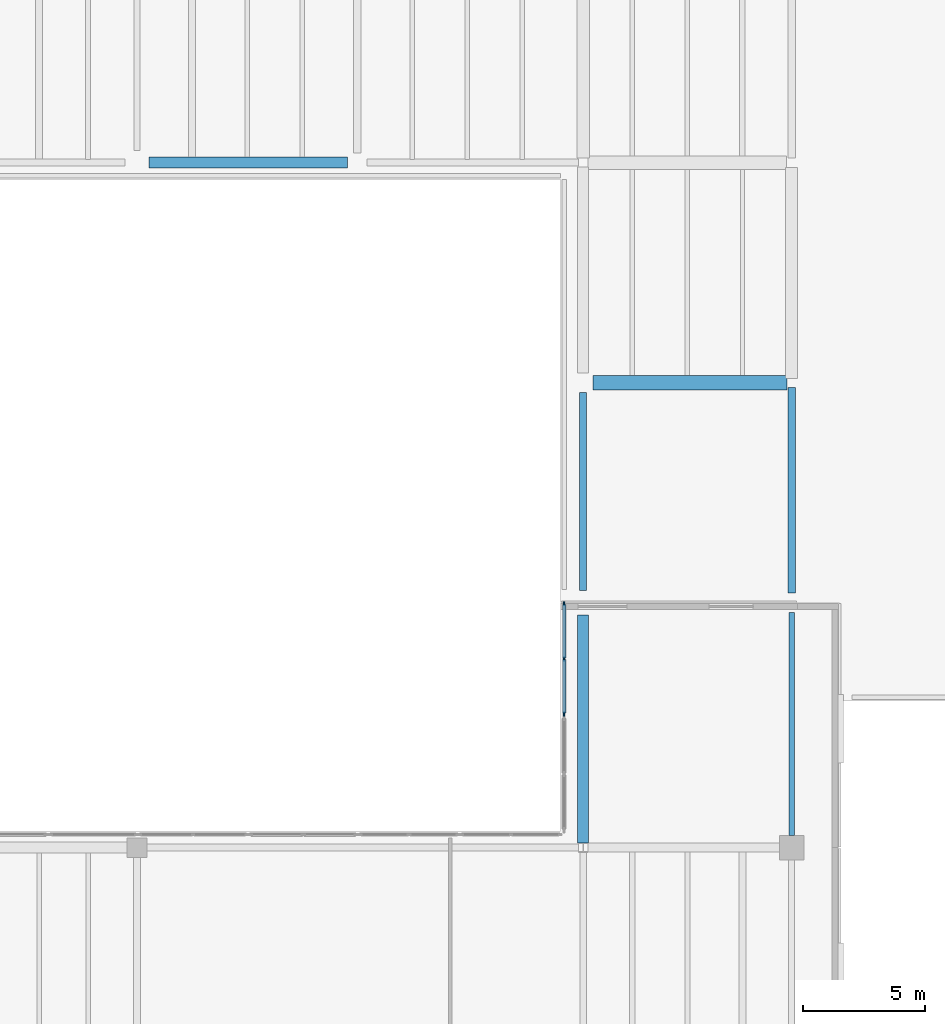
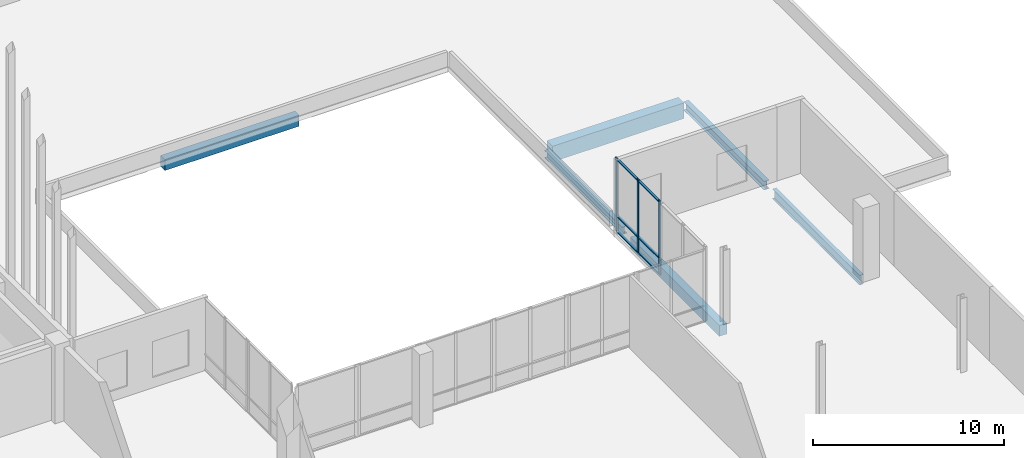
# One storey, part 33 of 60: 9 members, 6 beams, 1 element without a shape of its own.
"""IFC4 building model written with IfcOpenShell, lengths in metres."""

from ifc_helpers import new_model, si_unit, direction, frame, origin, origin_2d, place, context, subcontext, project, spatial, rectangle, i_section, extrude, material, material_profile, profile_set, type_object, element, aggregate, save


model = new_model("IFC4")

# Units and contexts
model_context = context("Model", 3, precision=1e-05, world=origin(), true_north=direction((0.0, 1.0)))
body_context = subcontext(model_context, "Body", "Model", "MODEL_VIEW")
ifc_project = project(units=[si_unit("LENGTHUNIT", "METRE"), si_unit("AREAUNIT", "SQUARE_METRE"), si_unit("VOLUMEUNIT", "CUBIC_METRE"), si_unit("PLANEANGLEUNIT", "RADIAN"), si_unit("MASSUNIT", "GRAM", prefix="KILO")], contexts=[model_context])

# Site, building, storey
site_placement = place(None, origin())
site = spatial("IfcSite", under=ifc_project, at=site_placement, CompositionType="ELEMENT")
building_placement = place(site_placement, origin())
building = spatial("IfcBuilding", under=site, at=building_placement, Name="Trimount Lyric Opera House", CompositionType="ELEMENT")
storey_placement = place(building_placement, frame((0.0, 0.0, 15.0)))
storey = spatial("IfcBuildingStorey", under=building, at=storey_placement, Name="L03", CompositionType="ELEMENT", Elevation=15.0)

# Beams
ifc_material_1 = material(Name="Steel ASTM A992 Grade 50", Category="steel")
ifc_material_profile_1 = material_profile(ifc_material_1, i_section(OverallWidth=0.22998046875, OverallDepth=0.616943359375, WebThickness=0.01318359375, FlangeThickness=0.022216796875, FilletRadius=0.013916015625, at=origin_2d()), Name="W24X94")
ifc_profile_set_1 = profile_set([ifc_material_profile_1], Name="Steel ASTM A992 Grade 50")
beam_type_1 = type_object("IfcBeamType", Name="B-11", PredefinedType="BEAM", material=ifc_profile_set_1)
beam_1_placement = place(storey_placement, frame((156.760009765625, 74.5, -0.598388671875), z_axis=(0.0, 1.0, 0.0), x_axis=(-1.0, 0.0, 0.0)))
element("IfcBeam", 1, at=beam_1_placement, inside=storey, type_object=beam_type_1, Name="L03 girder Y-1120", PredefinedType="BEAM", context=body_context, shape_type="SweptSolid", body=[
    extrude(i_section(OverallWidth=0.22998046875, OverallDepth=0.616943359375, WebThickness=0.01318359375, FlangeThickness=0.022216796875, FilletRadius=0.013916015625, at=origin_2d()), origin(), (0.0, 0.0, 1.0), 9.10009765625),
])
ifc_material_2 = material(Name="Steel ASTM A992 Grade 50", Category="steel")
ifc_material_profile_2 = material_profile(ifc_material_2, i_section(OverallWidth=0.31201171875, OverallDepth=0.5458984375, WebThickness=0.013916015625, FlangeThickness=0.022216796875, FilletRadius=0.014892578125, at=origin_2d()), Name="W21X111")
ifc_profile_set_2 = profile_set([ifc_material_profile_2], Name="Steel ASTM A992 Grade 50")
beam_type_2 = type_object("IfcBeamType", Name="B-12", PredefinedType="BEAM", material=ifc_profile_set_2)
beam_2_placement = place(storey_placement, frame((156.760009765625, 84.39990234375, -0.56298828125), z_axis=(0.0, 1.0, 0.0), x_axis=(-1.0, 0.0, 0.0)))
element("IfcBeam", 2, at=beam_2_placement, inside=storey, type_object=beam_type_2, Name="L03 girder Y-1121", PredefinedType="BEAM", context=body_context, shape_type="SweptSolid", body=[
    extrude(i_section(OverallWidth=0.31201171875, OverallDepth=0.5458984375, WebThickness=0.013916015625, FlangeThickness=0.022216796875, FilletRadius=0.014892578125, at=origin_2d()), origin(), (0.0, 0.0, 1.0), 8.416015625),
])
ifc_material_3 = material(Name="Concrete C40/50", Category="concrete")
ifc_material_profile_3 = material_profile(ifc_material_3, rectangle(XDim=0.60009765625, YDim=1.0, at=origin_2d()), Name="RC600X1000")
ifc_profile_set_3 = profile_set([ifc_material_profile_3], Name="Concrete C40/50")
beam_type_3 = type_object("IfcBeamType", Name="B-13", PredefinedType="BEAM", material=ifc_profile_set_3)
beam_3_placement = place(storey_placement, frame((148.639892578125, 93.0, -0.7900390625), z_axis=(1.0, 0.0, 0.0), x_axis=(0.0, 1.0, 0.0)))
element("IfcBeam", 3, at=beam_3_placement, inside=storey, type_object=beam_type_3, Name="L03 girder X-0996", PredefinedType="BEAM", context=body_context, shape_type="SweptSolid", body=[
    extrude(rectangle(XDim=0.60009765625, YDim=1.0, at=origin_2d()), origin(), (0.0, 0.0, 1.0), 7.93359375),
])

# Curtain wall, members
ifc_material_4 = material(Name="Thermally Broken Aluminium and Low-E Glass", Category="aluminium")
curtain_wall_type = type_object("IfcCurtainWallType", Name="CW-03", PredefinedType="NOTDEFINED", material=ifc_material_4)
curtain_wall_placement = place(storey_placement, origin())
curtain_wall = element("IfcCurtainWall", 4, at=curtain_wall_placement, inside=storey, type_object=curtain_wall_type, Name="L03 curtain wall 256", PredefinedType="NOTDEFINED")
ifc_material_5 = material(Name="Anodised Aluminium 6063-T6", Category="aluminium")
ifc_material_profile_4 = material_profile(ifc_material_5, rectangle(XDim=0.06494140625, YDim=0.179931640625, at=origin_2d()), Name="ALU-MULL-65X180")
ifc_profile_set_4 = profile_set([ifc_material_profile_4], Name="Anodised Aluminium 6063-T6")
member_type_1 = type_object("IfcMemberType", Name="ML-02", PredefinedType="MULLION", material=ifc_profile_set_4)
member_1_placement = place(storey_placement, frame((147.4599609375, 79.46240234375, 0.0), z_axis=(0.0, 0.0, 1.0), x_axis=(-1.0, 0.0, 0.0)))
member_1 = element("IfcMember", 5, at=member_1_placement, type_object=member_type_1, Name="CW-03 mullion 1", PredefinedType="MULLION", context=body_context, shape_type="SweptSolid", body=[
    extrude(rectangle(XDim=0.06494140625, YDim=0.179931640625, at=origin_2d()), origin(), (0.0, 0.0, 1.0), 4.7099609375),
])
member_2_placement = place(storey_placement, frame((147.4599609375, 81.715087890625, 0.0), z_axis=(0.0, 0.0, 1.0), x_axis=(-1.0, 0.0, 0.0)))
member_2 = element("IfcMember", 6, at=member_2_placement, type_object=member_type_1, Name="CW-03 mullion 2", PredefinedType="MULLION", context=body_context, shape_type="SweptSolid", body=[
    extrude(rectangle(XDim=0.06494140625, YDim=0.179931640625, at=origin_2d()), origin(), (0.0, 0.0, 1.0), 4.7099609375),
])
member_3_placement = place(storey_placement, frame((147.4599609375, 83.967529296875, 0.0), z_axis=(0.0, 0.0, 1.0), x_axis=(-1.0, 0.0, 0.0)))
member_3 = element("IfcMember", 7, at=member_3_placement, type_object=member_type_1, Name="CW-03 mullion 3", PredefinedType="MULLION", context=body_context, shape_type="SweptSolid", body=[
    extrude(rectangle(XDim=0.06494140625, YDim=0.179931640625, at=origin_2d()), origin(), (0.0, 0.0, 1.0), 4.7099609375),
])

# Beams
ifc_material_6 = material(Name="Steel ASTM A992 Grade 50", Category="steel")
ifc_material_profile_5 = material_profile(ifc_material_6, i_section(OverallWidth=0.281982421875, OverallDepth=0.467041015625, WebThickness=0.01220703125, FlangeThickness=0.01953125, FilletRadius=0.012939453125, at=origin_2d()), Name="W18X86")
ifc_profile_set_5 = profile_set([ifc_material_profile_5], Name="Steel ASTM A992 Grade 50")
beam_type_4 = type_object("IfcBeamType", Name="SP-01", PredefinedType="SPANDREL", material=ifc_profile_set_5)
beam_4_placement = place(storey_placement, frame((148.239990234375, 84.5, -0.5234375), z_axis=(0.0, 1.0, 0.0), x_axis=(-1.0, 0.0, 0.0)))
element("IfcBeam", 8, at=beam_4_placement, inside=storey, type_object=beam_type_4, Name="L03 girder Y-1114", PredefinedType="SPANDREL", context=body_context, shape_type="SweptSolid", body=[
    extrude(i_section(OverallWidth=0.281982421875, OverallDepth=0.467041015625, WebThickness=0.01220703125, FlangeThickness=0.01953125, FilletRadius=0.012939453125, at=origin_2d()), origin(), (0.0, 0.0, 1.0), 8.10009765625),
])
ifc_material_7 = material(Name="Concrete C40/50", Category="concrete")
ifc_material_profile_6 = material_profile(ifc_material_7, rectangle(XDim=0.449951171875, YDim=0.699951171875, at=origin_2d()), Name="RC450X700")
ifc_profile_set_6 = profile_set([ifc_material_profile_6], Name="Concrete C40/50")
beam_type_5 = type_object("IfcBeamType", Name="SP-02", PredefinedType="SPANDREL", material=ifc_profile_set_6)
beam_5_placement = place(storey_placement, frame((130.5, 102.0, -0.639892578125), z_axis=(1.0, 0.0, 0.0), x_axis=(0.0, 1.0, 0.0)))
element("IfcBeam", 9, at=beam_5_placement, inside=storey, type_object=beam_type_5, Name="L03 girder X-1003", PredefinedType="SPANDREL", context=body_context, shape_type="SweptSolid", body=[
    extrude(rectangle(XDim=0.449951171875, YDim=0.699951171875, at=origin_2d()), origin(), (0.0, 0.0, 1.0), 8.10009765625),
])
beam_6_placement = place(storey_placement, frame((148.239990234375, 74.193115234375, -0.6201171875), z_axis=(0.0, 1.0, 0.0), x_axis=(-1.0, 0.0, 0.0)))
element("IfcBeam", 10, at=beam_6_placement, inside=storey, type_object=beam_type_5, Name="L03 girder Y-1113", PredefinedType="SPANDREL", context=body_context, shape_type="SweptSolid", body=[
    extrude(rectangle(XDim=0.449951171875, YDim=0.699951171875, at=origin_2d()), origin(), (0.0, 0.0, 1.0), 9.306884765625),
])

# Member
ifc_material_8 = material(Name="Anodised Aluminium 6063-T6", Category="aluminium")
ifc_material_profile_7 = material_profile(ifc_material_8, rectangle(XDim=0.135009765625, YDim=0.06494140625, at=origin_2d()), Name="ALU-TRAN-65X135")
ifc_profile_set_7 = profile_set([ifc_material_profile_7], Name="Anodised Aluminium 6063-T6")
member_type_2 = type_object("IfcMemberType", Name="TR-02", PredefinedType="USERDEFINED", material=ifc_profile_set_7)
member_4_placement = place(storey_placement, frame((147.4599609375, 79.4951171875, 0.0673828125), z_axis=(0.0, 1.0, 0.0), x_axis=(-1.0, 0.0, 0.0)))
member_4 = element("IfcMember", 11, at=member_4_placement, type_object=member_type_2, Name="CW-03 transom 1.1", ObjectType="TRANSOM", PredefinedType="USERDEFINED", context=body_context, shape_type="SweptSolid", body=[
    extrude(rectangle(XDim=0.135009765625, YDim=0.06494140625, at=origin_2d()), origin(), (0.0, 0.0, 1.0), 2.1875),
])

member_5_placement = place(storey_placement, frame((147.4599609375, 79.4951171875, 1.050048828125), z_axis=(0.0, 1.0, 0.0), x_axis=(-1.0, 0.0, 0.0)))
member_5 = element("IfcMember", 12, at=member_5_placement, type_object=member_type_2, Name="CW-03 transom 1.2", ObjectType="TRANSOM", PredefinedType="USERDEFINED", context=body_context, shape_type="SweptSolid", body=[
    extrude(rectangle(XDim=0.135009765625, YDim=0.06494140625, at=origin_2d()), origin(), (0.0, 0.0, 1.0), 2.1875),
])

member_6_placement = place(storey_placement, frame((147.4599609375, 79.4951171875, 4.642578125), z_axis=(0.0, 1.0, 0.0), x_axis=(-1.0, 0.0, 0.0)))
member_6 = element("IfcMember", 13, at=member_6_placement, type_object=member_type_2, Name="CW-03 transom 1.3", ObjectType="TRANSOM", PredefinedType="USERDEFINED", context=body_context, shape_type="SweptSolid", body=[
    extrude(rectangle(XDim=0.135009765625, YDim=0.06494140625, at=origin_2d()), origin(), (0.0, 0.0, 1.0), 2.1875),
])

member_7_placement = place(storey_placement, frame((147.4599609375, 81.74755859375, 0.0673828125), z_axis=(0.0, 1.0, 0.0), x_axis=(-1.0, 0.0, 0.0)))
member_7 = element("IfcMember", 14, at=member_7_placement, type_object=member_type_2, Name="CW-03 transom 2.1", ObjectType="TRANSOM", PredefinedType="USERDEFINED", context=body_context, shape_type="SweptSolid", body=[
    extrude(rectangle(XDim=0.135009765625, YDim=0.06494140625, at=origin_2d()), origin(), (0.0, 0.0, 1.0), 2.1875),
])

member_8_placement = place(storey_placement, frame((147.4599609375, 81.74755859375, 1.050048828125), z_axis=(0.0, 1.0, 0.0), x_axis=(-1.0, 0.0, 0.0)))
member_8 = element("IfcMember", 15, at=member_8_placement, type_object=member_type_2, Name="CW-03 transom 2.2", ObjectType="TRANSOM", PredefinedType="USERDEFINED", context=body_context, shape_type="SweptSolid", body=[
    extrude(rectangle(XDim=0.135009765625, YDim=0.06494140625, at=origin_2d()), origin(), (0.0, 0.0, 1.0), 2.1875),
])

member_9_placement = place(storey_placement, frame((147.4599609375, 81.74755859375, 4.642578125), z_axis=(0.0, 1.0, 0.0), x_axis=(-1.0, 0.0, 0.0)))
member_9 = element("IfcMember", 16, at=member_9_placement, type_object=member_type_2, Name="CW-03 transom 2.3", ObjectType="TRANSOM", PredefinedType="USERDEFINED", context=body_context, shape_type="SweptSolid", body=[
    extrude(rectangle(XDim=0.135009765625, YDim=0.06494140625, at=origin_2d()), origin(), (0.0, 0.0, 1.0), 2.1875),
])

aggregate(curtain_wall, [member_1, member_2, member_3, member_4, member_5, member_6, member_7, member_8, member_9])

save(model, "model.ifc")
